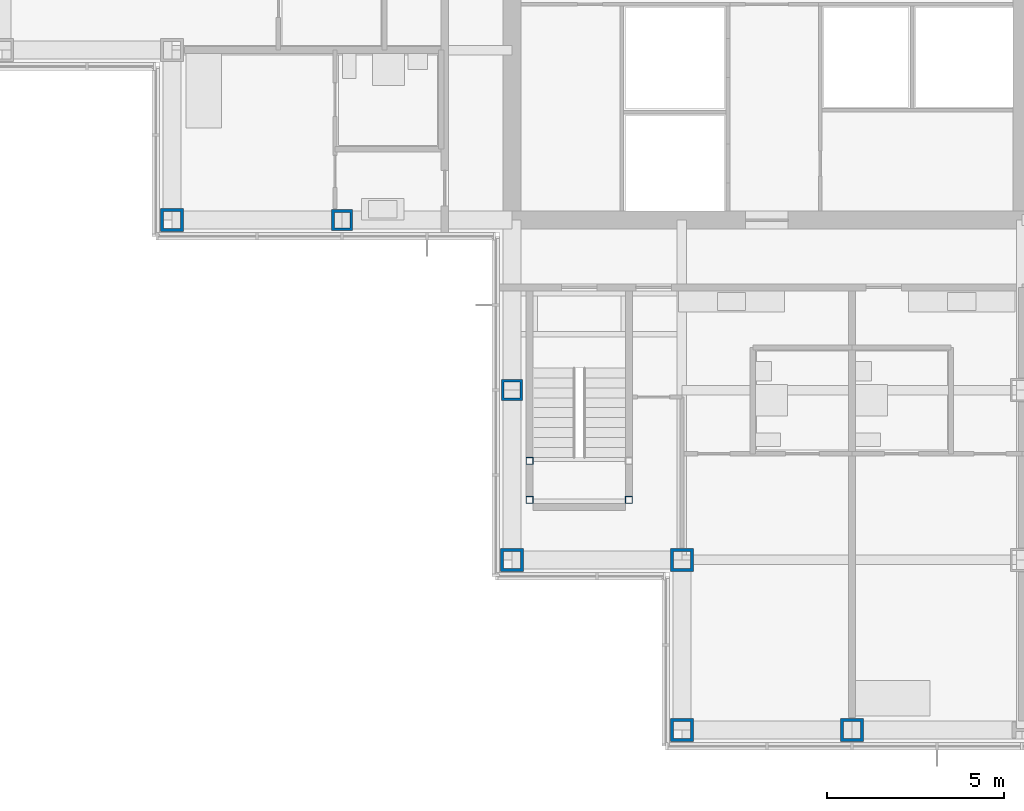
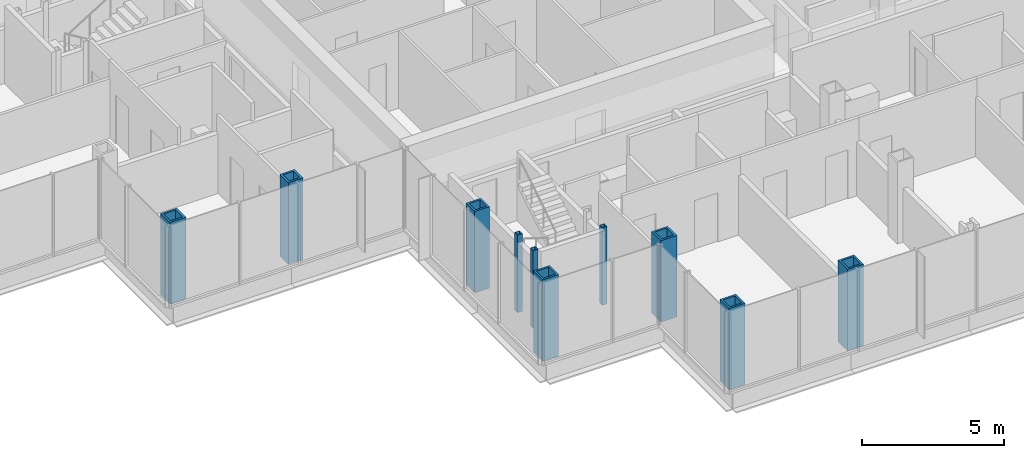
# One storey, part 1 of 20: 10 columns.
"""IFC4 building model written with IfcOpenShell, lengths in metres."""

from ifc_helpers import new_model, si_unit, direction, frame, origin, origin_2d, place, context, subcontext, project, spatial, hollow_rectangle, extrude, material, material_profile, profile_set, type_object, element, save


model = new_model("IFC4")

# Units and contexts
model_context = context("Model", 3, precision=1e-05, world=origin(), true_north=direction((0.0, 1.0)))
body_context = subcontext(model_context, "Body", "Model", "MODEL_VIEW")
ifc_project = project(units=[si_unit("LENGTHUNIT", "METRE"), si_unit("AREAUNIT", "SQUARE_METRE"), si_unit("VOLUMEUNIT", "CUBIC_METRE"), si_unit("PLANEANGLEUNIT", "RADIAN"), si_unit("MASSUNIT", "GRAM", prefix="KILO")], contexts=[model_context])

# Site, building, storey
site_placement = place(None, origin())
site = spatial("IfcSite", under=ifc_project, at=site_placement, CompositionType="ELEMENT")
building_placement = place(site_placement, origin())
building = spatial("IfcBuilding", under=site, at=building_placement, Name="Kvirike Care Tower", CompositionType="ELEMENT")
storey_placement = place(building_placement, frame((0.0, 0.0, 94.5)))
storey = spatial("IfcBuildingStorey", under=building, at=storey_placement, Name="L25", CompositionType="ELEMENT", Elevation=94.5)

# Columns
ifc_material_1 = material(Name="Steel S460", Category="steel")
ifc_material_profile_1 = material_profile(ifc_material_1, hollow_rectangle(XDim=0.60009765625, YDim=0.60009765625, WallThickness=0.080078125, at=origin_2d()), Name="BX 600x600x80")
ifc_profile_set_1 = profile_set([ifc_material_profile_1], Name="Steel S460")
column_type_1 = type_object("IfcColumnType", Name="COLUMN BX 600x600x80", PredefinedType="COLUMN", material=ifc_profile_set_1)
for number, where, z_axis, x_axis, name in (
    (1, (9.60009765625, 28.800048828125, 0.0), (0.0, 0.0, 1.0), (0.0, 1.0, 0.0), "Column G5 L25"),
    (2, (14.39990234375, 24.0, 0.0), (0.0, 0.0, 1.0), (1.0, 0.0, 0.0), "Column F6 L25"),
):
    element("IfcColumn", number, at=place(storey_placement, frame(where, z_axis=z_axis, x_axis=x_axis)), inside=storey, type_object=column_type_1, Name=name, PredefinedType="COLUMN", context=body_context, shape_type="SweptSolid", body=[
        extrude(hollow_rectangle(XDim=0.60009765625, YDim=0.60009765625, WallThickness=0.080078125, at=origin_2d()), origin(), (0.0, 0.0, 1.0), 3.5),
    ])
ifc_material_2 = material(Name="Steel S460", Category="steel")
ifc_material_profile_2 = material_profile(ifc_material_2, hollow_rectangle(XDim=0.64990234375, YDim=0.64990234375, WallThickness=0.080078125, at=origin_2d()), Name="BX 650x650x80")
ifc_profile_set_2 = profile_set([ifc_material_profile_2], Name="Steel S460")
column_type_2 = type_object("IfcColumnType", Name="COLUMN BX 650x650x80", PredefinedType="COLUMN", material=ifc_profile_set_2)
for number, where, z_axis, x_axis, name in (
    (3, (4.800048828125, 28.800048828125, 0.0), (0.0, 0.0, 1.0), (0.0, 1.0, 0.0), "Column G4 L25"),
    (4, (14.39990234375, 19.199951171875, 0.0), (0.0, 0.0, 1.0), (0.0, 1.0, 0.0), "Column E6 L25"),
    (5, (19.199951171875, 14.39990234375, 0.0), (0.0, 0.0, 1.0), (0.0, 1.0, 0.0), "Column D7 L25"),
    (6, (19.199951171875, 19.199951171875, 0.0), (0.0, 0.0, 1.0), (0.0, 1.0, 0.0), "Column E7 L25"),
    (7, (24.0, 14.39990234375, 0.0), (0.0, 0.0, 1.0), (0.0, 1.0, 0.0), "Column D8 L25"),
):
    element("IfcColumn", number, at=place(storey_placement, frame(where, z_axis=z_axis, x_axis=x_axis)), inside=storey, type_object=column_type_2, Name=name, PredefinedType="COLUMN", context=body_context, shape_type="SweptSolid", body=[
        extrude(hollow_rectangle(XDim=0.64990234375, YDim=0.64990234375, WallThickness=0.080078125, at=origin_2d()), origin(), (0.0, 0.0, 1.0), 3.5),
    ])
ifc_material_3 = material(Name="Steel S460", Category="steel")
ifc_material_profile_3 = material_profile(ifc_material_3, hollow_rectangle(XDim=0.199951171875, YDim=0.199951171875, WallThickness=0.008056640625, at=origin_2d()), Name="SHS 200x200x8")
ifc_profile_set_3 = profile_set([ifc_material_profile_3], Name="Steel S460")
column_type_3 = type_object("IfcColumnType", Name="STAIR POST SHS 200x200x8", PredefinedType="COLUMN", material=ifc_profile_set_3)
for number, where, z_axis, x_axis, name in (
    (8, (14.89990234375, 20.89990234375, 0.0), (0.0, 0.0, 1.0), (1.0, 0.0, 0.0), "Stair 5 post 1 L25"),
    (9, (17.699951171875, 20.89990234375, 0.0), (0.0, 0.0, 1.0), (1.0, 0.0, 0.0), "Stair 5 post 2 L25"),
    (10, (14.89990234375, 22.0, 0.0), (0.0, 0.0, 1.0), (1.0, 0.0, 0.0), "Stair 5 post 3 L25"),
):
    element("IfcColumn", number, at=place(storey_placement, frame(where, z_axis=z_axis, x_axis=x_axis)), inside=storey, type_object=column_type_3, Name=name, PredefinedType="COLUMN", context=body_context, shape_type="SweptSolid", body=[
        extrude(hollow_rectangle(XDim=0.199951171875, YDim=0.199951171875, WallThickness=0.008056640625, at=origin_2d()), origin(), (0.0, 0.0, 1.0), 3.330078125),
    ])

save(model, "model.ifc")
